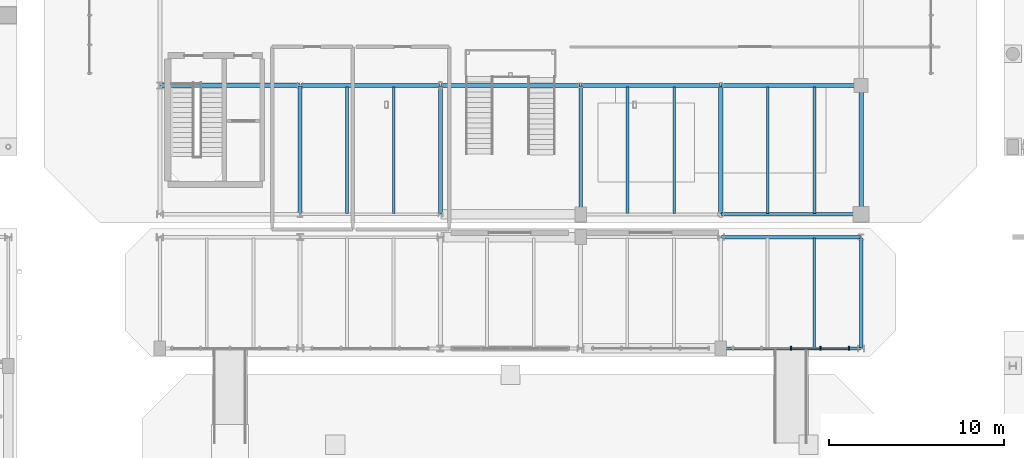
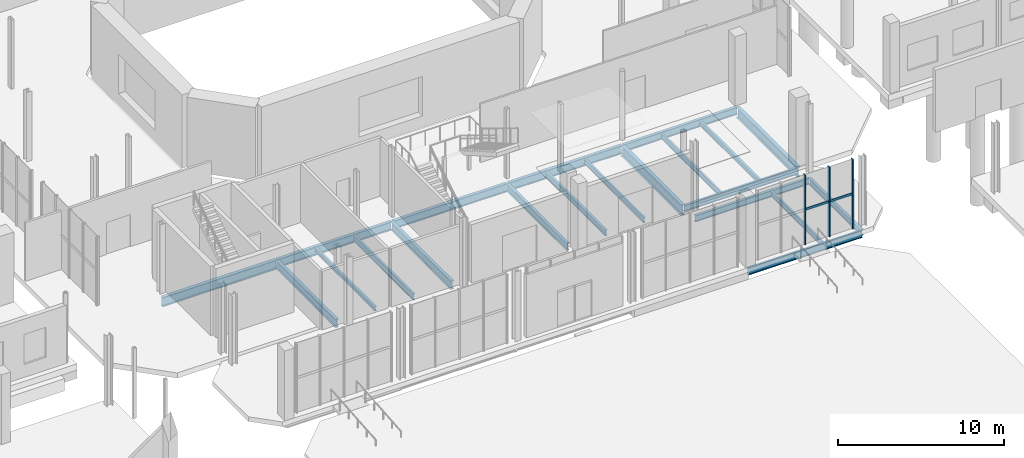
# One storey, part 42 of 87: 21 beams, 5 members, 1 element without a shape of its own.
"""IFC4 building model written with IfcOpenShell, lengths in metres."""

import ifcopenshell
import ifcopenshell.guid

model = None  # the IFC model being written
_history = None  # IfcOwnerHistory: only IFC2X3 demands one
_inside = {}  # id of a spatial element -> (the spatial element, [elements in it])
_under = {}  # id of a project, library or spatial element -> (it, [spatial elements below it])
_declared = {}  # id of a project -> (the project, [libraries it declares])
_typed = {}  # id of a type object -> (the type object, [elements of that type])
_made_of = {}  # id of a material, layer set ... -> (it, [elements and type objects made of it])


def new_model(schema):
    """Start an empty IFC model of exactly this schema.

    Asked for "IFC4X3", IfcOpenShell would pick the latest addendum, in which some entities
    have other attributes; the version numbers below select the first issue.
    IFC2X3 requires an IfcOwnerHistory on every rooted entity: one is made here for all.
    """
    global model, _history
    if schema == "IFC4X3":
        model = ifcopenshell.file(schema_version=(4, 3, 0, 0))
    else:
        model = ifcopenshell.file(schema=schema)
    _inside.clear()
    _under.clear()
    _declared.clear()
    _typed.clear()
    _made_of.clear()
    _history = None
    if model.schema == "IFC2X3":
        org = make("IfcOrganization", Name="unknown")
        user = make(
            "IfcPersonAndOrganization",
            ThePerson=make("IfcPerson", FamilyName="unknown"),
            TheOrganization=org,
        )
        app = make(
            "IfcApplication",
            ApplicationDeveloper=org,
            Version="unknown",
            ApplicationFullName="unknown",
            ApplicationIdentifier="unknown",
        )
        _history = make(
            "IfcOwnerHistory",
            OwningUser=user,
            OwningApplication=app,
            ChangeAction="ADDED",
            CreationDate=0,
        )
    return model


def make(cls, **values):
    """One entity of the class cls with the attributes given. An attribute that is None is left unset."""
    return model.create_entity(
        cls, **{name: value for name, value in values.items() if value is not None}
    )


def rooted(cls, **values):
    """An entity with a GlobalId (a new one), such as an element, a storey or a relation."""
    return make(cls, GlobalId=ifcopenshell.guid.new(), OwnerHistory=_history, **values)


def si_unit(unit_type, name, prefix=None):
    """IfcSIUnit, for example si_unit("LENGTHUNIT", "METRE", prefix="MILLI")."""
    return make("IfcSIUnit", UnitType=unit_type, Prefix=prefix, Name=name)


def assignment(units):
    """IfcUnitAssignment: the units of a project."""
    return None if units is None else make("IfcUnitAssignment", Units=units)


def point(xyz):
    """IfcCartesianPoint."""
    return None if xyz is None else make("IfcCartesianPoint", Coordinates=xyz)


def direction(xyz):
    """IfcDirection."""
    return None if xyz is None else make("IfcDirection", DirectionRatios=xyz)


def frame(location, z_axis=None, x_axis=None):
    """IfcAxis2Placement3D, a coordinate frame: its origin and axes. An axis left out is left unset."""
    return make(
        "IfcAxis2Placement3D",
        Location=point(location),
        Axis=direction(z_axis),
        RefDirection=direction(x_axis),
    )


def frame_2d(location, x_axis=None):
    """IfcAxis2Placement2D, a coordinate frame in the plane: its origin and x axis."""
    return make(
        "IfcAxis2Placement2D", Location=point(location), RefDirection=direction(x_axis)
    )


def origin():
    """The frame at (0, 0, 0) with its axes left unset."""
    return frame((0.0, 0.0, 0.0))


def origin_2d():
    """The frame at (0, 0) in the plane with its x axis left unset."""
    return frame_2d((0.0, 0.0))


def place(relative_to, where):
    """IfcLocalPlacement: puts the frame where relative to a parent placement (None: the world)."""
    return make(
        "IfcLocalPlacement", PlacementRelTo=relative_to, RelativePlacement=where
    )


def context(
    kind, dimensions, precision=None, world=None, true_north=None, identifier=None
):
    """IfcGeometricRepresentationContext, for example the 3D "Model" context."""
    return make(
        "IfcGeometricRepresentationContext",
        ContextIdentifier=identifier,
        ContextType=kind,
        CoordinateSpaceDimension=dimensions,
        Precision=precision,
        WorldCoordinateSystem=world,
        TrueNorth=true_north,
    )


def subcontext(parent, identifier, kind, view, scale=None):
    """IfcGeometricRepresentationSubContext, for example "Body" below "Model"."""
    return make(
        "IfcGeometricRepresentationSubContext",
        ContextIdentifier=identifier,
        ContextType=kind,
        ParentContext=parent,
        TargetScale=scale,
        TargetView=view,
    )


def project(units=None, contexts=None):
    """IfcProject with its units and contexts."""
    return rooted(
        "IfcProject",
        Name="project",
        RepresentationContexts=contexts,
        UnitsInContext=assignment(units),
    )


def spatial(cls, under=None, at=None, **own):
    """A site, building, storey or space (cls), placed at a placement, below another one or the project."""
    s = rooted(cls, ObjectPlacement=at, **own)
    if under is not None:
        _under.setdefault(under.id(), (under, []))[1].append(s)
    return s


def profile(cls, at=None, kind="AREA", **sizes):
    """A parametric profile (cls). Its sizes go by their IFC names, for example OverallWidth=200.0."""
    return make(cls, ProfileType=kind, Position=at, **sizes)


def rectangle(**sizes):
    """IfcRectangleProfileDef."""
    return profile("IfcRectangleProfileDef", **sizes)


def i_section(**sizes):
    """IfcIShapeProfileDef."""
    return profile("IfcIShapeProfileDef", **sizes)


def extrude(swept, where, along, depth):
    """IfcExtrudedAreaSolid: the profile swept, set in the frame where, extruded along a direction by depth."""
    return make(
        "IfcExtrudedAreaSolid",
        SweptArea=swept,
        Position=where,
        ExtrudedDirection=direction(along),
        Depth=depth,
    )


def shape(context_of_items, identifier, shape_type, items):
    """IfcShapeRepresentation: the items that make up one representation, for example the "Body"."""
    return make(
        "IfcShapeRepresentation",
        ContextOfItems=context_of_items,
        RepresentationIdentifier=identifier,
        RepresentationType=shape_type,
        Items=items,
    )


def material(Name=None, Category=None):
    """IfcMaterial."""
    return make("IfcMaterial", Name=Name, Category=Category)


def material_profile(
    of_material, cross_section, Name=None, Category=None, Priority=None
):
    """IfcMaterialProfile: a cross section and its material."""
    return make(
        "IfcMaterialProfile",
        Name=Name,
        Material=of_material,
        Profile=cross_section,
        Priority=Priority,
        Category=Category,
    )


def profile_set(profiles, Name=None, composite=None):
    """IfcMaterialProfileSet."""
    return make(
        "IfcMaterialProfileSet",
        Name=Name,
        MaterialProfiles=profiles,
        CompositeProfile=composite,
    )


def made_of(thing, what):
    """Note that an element or type object is made of a material, layer set ...; save() writes the relation."""
    if what is not None:
        _made_of.setdefault(what.id(), (what, []))[1].append(thing)
    return thing


def type_object(cls, material=None, **own):
    """A type object (cls), such as IfcWallType, which elements share."""
    return made_of(rooted(cls, **own), material)


def element(
    cls,
    number,
    at=None,
    inside=None,
    cuts=None,
    type_object=None,
    material=None,
    context=None,
    identifier="Body",
    shape_type=None,
    held_by="IfcProductDefinitionShape",
    body=None,
    shapes=None,
    **own,
):
    """One element of the class cls, such as IfcWall. Its Tag is "e" and its number.

    at: its placement. inside: the storey or other place that contains it. cuts: it is an
    opening in that element (IfcRelVoidsElement). A single representation is given by context,
    identifier, shape_type and body (its items); several are given by shapes. held_by: the class
    of the entity that holds the representations. save() writes the other relations.
    """
    e = rooted(cls, Tag="e%d" % number, ObjectPlacement=at, **own)
    if body is not None:
        shapes = [shape(context, identifier, shape_type, body)]
    if shapes is not None:
        e.Representation = make(held_by, Representations=shapes)
    if inside is not None:
        _inside.setdefault(inside.id(), (inside, []))[1].append(e)
    if cuts is not None:
        rooted(
            "IfcRelVoidsElement", RelatingBuildingElement=cuts, RelatedOpeningElement=e
        )
    if type_object is not None:
        _typed.setdefault(type_object.id(), (type_object, []))[1].append(e)
    return made_of(e, material)


def aggregate(whole, parts):
    """IfcRelAggregates: a whole, such as a stair, and the parts it consists of."""
    return rooted("IfcRelAggregates", RelatingObject=whole, RelatedObjects=parts)


def save(model, path):
    """Write the relations noted so far, then the file.

    IfcRelAggregates (storeys below a building ...), IfcRelContainedInSpatialStructure (elements
    in a storey), IfcRelDefinesByType, IfcRelAssociatesMaterial and IfcRelDeclares: one each for
    every whole, place, type object, material and project.
    """
    for whole, parts in _under.values():
        aggregate(whole, parts)
    for where, things in _inside.values():
        rooted(
            "IfcRelContainedInSpatialStructure",
            RelatedElements=things,
            RelatingStructure=where,
        )
    for kind, things in _typed.values():
        rooted("IfcRelDefinesByType", RelatedObjects=things, RelatingType=kind)
    for what, things in _made_of.values():
        rooted("IfcRelAssociatesMaterial", RelatedObjects=things, RelatingMaterial=what)
    for by, libraries in _declared.values():
        rooted("IfcRelDeclares", RelatingContext=by, RelatedDefinitions=libraries)
    model.write(path)


model = new_model("IFC4")

# Units and contexts
model_context = context("Model", 3, precision=1e-05, world=origin(), true_north=direction((0.0, 1.0)))
body_context = subcontext(model_context, "Body", "Model", "MODEL_VIEW")
ifc_project = project(units=[si_unit("LENGTHUNIT", "METRE"), si_unit("AREAUNIT", "SQUARE_METRE"), si_unit("VOLUMEUNIT", "CUBIC_METRE"), si_unit("PLANEANGLEUNIT", "RADIAN"), si_unit("MASSUNIT", "GRAM", prefix="KILO")], contexts=[model_context])

# Site, building, storey
site_placement = place(None, origin())
site = spatial("IfcSite", under=ifc_project, at=site_placement, CompositionType="ELEMENT")
building_placement = place(site_placement, origin())
building = spatial("IfcBuilding", under=site, at=building_placement, Name="Brisemont Oceanarium", CompositionType="ELEMENT")
storey_placement = place(building_placement, origin())
storey = spatial("IfcBuildingStorey", under=building, at=storey_placement, Name="L00", CompositionType="ELEMENT", Elevation=0.0)

# Beams
ifc_material_1 = material(Name="Structural Steel ASTM A992 Gr.50", Category="steel")
ifc_material_profile_1 = material_profile(ifc_material_1, i_section(OverallWidth=0.1650390625, OverallDepth=0.31005859375, WebThickness=0.005859375, FlangeThickness=0.009765625, FilletRadius=0.008056640625, at=origin_2d()), Name="W12X26")
ifc_profile_set_1 = profile_set([ifc_material_profile_1], Name="Structural Steel ASTM A992 Gr.50")
beam_type_1 = type_object("IfcBeamType", Name="BM-W12X26", PredefinedType="JOIST", material=ifc_profile_set_1)
beam_1_placement = place(storey_placement, frame((74.666748046875, 32.68994140625, -0.534912109375), z_axis=(0.0, 1.0, 0.0), x_axis=(-1.0, 0.0, 0.0)))
element("IfcBeam", 1, at=beam_1_placement, inside=storey, type_object=beam_type_1, Name="V1 L00 secondary floor beam", PredefinedType="JOIST", context=body_context, shape_type="SweptSolid", body=[
    extrude(i_section(OverallWidth=0.1650390625, OverallDepth=0.31005859375, WebThickness=0.005859375, FlangeThickness=0.009765625, FilletRadius=0.008056640625, at=origin_2d()), origin(), (0.0, 0.0, 1.0), 7.219970703125),
])
ifc_material_2 = material(Name="Structural Steel ASTM A992 Gr.50", Category="steel")
ifc_material_profile_2 = material_profile(ifc_material_2, i_section(OverallWidth=0.1708984375, OverallDepth=0.35107421875, WebThickness=0.0068359375, FlangeThickness=0.009765625, FilletRadius=0.010009765625, at=origin_2d()), Name="W14X30")
ifc_profile_set_2 = profile_set([ifc_material_profile_2], Name="Structural Steel ASTM A992 Gr.50")
beam_type_2 = type_object("IfcBeamType", Name="BM-W14X30", PredefinedType="JOIST", material=ifc_profile_set_2)
beam_2_placement = place(storey_placement, frame((101.333251953125, 32.68994140625, -0.555419921875), z_axis=(0.0, 1.0, 0.0), x_axis=(-1.0, 0.0, 0.0)))
element("IfcBeam", 2, at=beam_2_placement, inside=storey, type_object=beam_type_2, Name="V1 L00 secondary floor beam", PredefinedType="JOIST", context=body_context, shape_type="SweptSolid", body=[
    extrude(i_section(OverallWidth=0.1708984375, OverallDepth=0.35107421875, WebThickness=0.0068359375, FlangeThickness=0.009765625, FilletRadius=0.010009765625, at=origin_2d()), origin(), (0.0, 0.0, 1.0), 7.219970703125),
])
ifc_material_3 = material(Name="Structural Steel ASTM A992 Gr.50", Category="steel")
ifc_material_profile_3 = material_profile(ifc_material_3, i_section(OverallWidth=0.139892578125, OverallDepth=0.39892578125, WebThickness=0.00634765625, FlangeThickness=0.0087890625, FilletRadius=0.010009765625, at=origin_2d()), Name="W16X26")
ifc_profile_set_3 = profile_set([ifc_material_profile_3], Name="Structural Steel ASTM A992 Gr.50")
beam_type_3 = type_object("IfcBeamType", Name="BM-W16X26", PredefinedType="JOIST", material=ifc_profile_set_3)
for number, where, z_axis, x_axis, name in (
    (3, (93.333251953125, 32.68994140625, -0.57958984375), (0.0, 1.0, 0.0), (-1.0, 0.0, 0.0), "V1 L00 secondary floor beam"),
    (4, (98.666748046875, 32.68994140625, -0.57958984375), (0.0, 1.0, 0.0), (-1.0, 0.0, 0.0), "V1 L00 secondary floor beam"),
):
    element("IfcBeam", number, at=place(storey_placement, frame(where, z_axis=z_axis, x_axis=x_axis)), inside=storey, type_object=beam_type_3, Name=name, PredefinedType="JOIST", context=body_context, shape_type="SweptSolid", body=[
        extrude(i_section(OverallWidth=0.139892578125, OverallDepth=0.39892578125, WebThickness=0.00634765625, FlangeThickness=0.0087890625, FilletRadius=0.010009765625, at=origin_2d()), origin(), (0.0, 0.0, 1.0), 7.219970703125),
    ])
beam_3_placement = place(storey_placement, frame((101.333251953125, 25.0400390625, -0.53955078125), z_axis=(0.0, 1.0, 0.0), x_axis=(-1.0, 0.0, 0.0)))
element("IfcBeam", 5, at=beam_3_placement, inside=storey, type_object=beam_type_3, Name="V1P L00 secondary floor beam", PredefinedType="JOIST", context=body_context, shape_type="SweptSolid", body=[
    extrude(i_section(OverallWidth=0.139892578125, OverallDepth=0.39892578125, WebThickness=0.00634765625, FlangeThickness=0.0087890625, FilletRadius=0.010009765625, at=origin_2d()), origin(), (0.0, 0.0, 1.0), 6.27001953125),
])
ifc_material_4 = material(Name="Structural Steel ASTM A992 Gr.50", Category="steel")
ifc_material_profile_4 = material_profile(ifc_material_4, i_section(OverallWidth=0.177978515625, OverallDepth=0.404052734375, WebThickness=0.007568359375, FlangeThickness=0.010986328125, FilletRadius=0.010009765625, at=origin_2d()), Name="W16X36")
ifc_profile_set_4 = profile_set([ifc_material_profile_4], Name="Structural Steel ASTM A992 Gr.50")
beam_type_4 = type_object("IfcBeamType", Name="BM-W16X36", PredefinedType="JOIST", material=ifc_profile_set_4)
beam_4_placement = place(storey_placement, frame((90.666748046875, 32.68994140625, -0.58203125), z_axis=(0.0, 1.0, 0.0), x_axis=(-1.0, 0.0, 0.0)))
element("IfcBeam", 6, at=beam_4_placement, inside=storey, type_object=beam_type_4, Name="V1 L00 secondary floor beam", PredefinedType="JOIST", context=body_context, shape_type="SweptSolid", body=[
    extrude(i_section(OverallWidth=0.177978515625, OverallDepth=0.404052734375, WebThickness=0.007568359375, FlangeThickness=0.010986328125, FilletRadius=0.010009765625, at=origin_2d()), origin(), (0.0, 0.0, 1.0), 7.219970703125),
])
ifc_material_5 = material(Name="Structural Steel ASTM A992 Gr.50", Category="steel")
ifc_material_profile_5 = material_profile(ifc_material_5, i_section(OverallWidth=0.153076171875, OverallDepth=0.455078125, WebThickness=0.008056640625, FlangeThickness=0.01318359375, FilletRadius=0.010986328125, at=origin_2d()), Name="W18X40")
ifc_profile_set_5 = profile_set([ifc_material_profile_5], Name="Structural Steel ASTM A992 Gr.50")
beam_type_5 = type_object("IfcBeamType", Name="BM-W18X40", PredefinedType="JOIST", material=ifc_profile_set_5)
beam_5_placement = place(storey_placement, frame((77.333251953125, 32.68994140625, -0.607421875), z_axis=(0.0, 1.0, 0.0), x_axis=(-1.0, 0.0, 0.0)))
element("IfcBeam", 7, at=beam_5_placement, inside=storey, type_object=beam_type_5, Name="V1 L00 secondary floor beam", PredefinedType="JOIST", context=body_context, shape_type="SweptSolid", body=[
    extrude(i_section(OverallWidth=0.153076171875, OverallDepth=0.455078125, WebThickness=0.008056640625, FlangeThickness=0.01318359375, FilletRadius=0.010986328125, at=origin_2d()), origin(), (0.0, 0.0, 1.0), 7.219970703125),
])
ifc_material_6 = material(Name="Structural Steel ASTM A992 Gr.50", Category="steel")
ifc_material_profile_6 = material_profile(ifc_material_6, i_section(OverallWidth=0.19091796875, OverallDepth=0.4599609375, WebThickness=0.010009765625, FlangeThickness=0.01611328125, FilletRadius=0.010986328125, at=origin_2d()), Name="W18X55")
ifc_profile_set_6 = profile_set([ifc_material_profile_6], Name="Structural Steel ASTM A992 Gr.50")
beam_type_6 = type_object("IfcBeamType", Name="BM-W18X55", PredefinedType="SPANDREL", material=ifc_profile_set_6)
for number, where, z_axis, x_axis, name in (
    (8, (96.0400390625, 32.64990234375, -0.610107421875), (1.0, 0.0, 0.0), (0.0, 1.0, 0.0), "V1 L00 EW girder"),
    (9, (96.0400390625, 31.35009765625, -0.570068359375), (1.0, 0.0, 0.0), (0.0, 1.0, 0.0), "V1P L00 EW girder"),
):
    element("IfcBeam", number, at=place(storey_placement, frame(where, z_axis=z_axis, x_axis=x_axis)), inside=storey, type_object=beam_type_6, Name=name, PredefinedType="SPANDREL", context=body_context, shape_type="SweptSolid", body=[
        extrude(i_section(OverallWidth=0.19091796875, OverallDepth=0.4599609375, WebThickness=0.010009765625, FlangeThickness=0.01611328125, FilletRadius=0.010986328125, at=origin_2d()), origin(), (0.0, 0.0, 1.0), 7.919921875),
    ])
beam_6_placement = place(storey_placement, frame((104.0, 25.0400390625, -0.570068359375), z_axis=(0.0, 1.0, 0.0), x_axis=(-1.0, 0.0, 0.0)))
element("IfcBeam", 10, at=beam_6_placement, inside=storey, type_object=beam_type_6, Name="V1P L00 NS girder", PredefinedType="SPANDREL", context=body_context, shape_type="SweptSolid", body=[
    extrude(i_section(OverallWidth=0.19091796875, OverallDepth=0.4599609375, WebThickness=0.010009765625, FlangeThickness=0.01611328125, FilletRadius=0.010986328125, at=origin_2d()), origin(), (0.0, 0.0, 1.0), 6.27001953125),
])
ifc_material_7 = material(Name="Structural Steel ASTM A992 Gr.50", Category="steel")
ifc_material_profile_7 = material_profile(ifc_material_7, i_section(OverallWidth=0.166015625, OverallDepth=0.528076171875, WebThickness=0.009765625, FlangeThickness=0.013671875, FilletRadius=0.012939453125, at=origin_2d()), Name="W21X50")
ifc_profile_set_7 = profile_set([ifc_material_profile_7], Name="Structural Steel ASTM A992 Gr.50")
beam_type_7 = type_object("IfcBeamType", Name="BM-W21X50", PredefinedType="SPANDREL", material=ifc_profile_set_7)
beam_7_placement = place(storey_placement, frame((96.0400390625, 25.0, -0.60400390625), z_axis=(1.0, 0.0, 0.0), x_axis=(0.0, 1.0, 0.0)))
element("IfcBeam", 11, at=beam_7_placement, inside=storey, type_object=beam_type_7, Name="V1P L00 EW girder", PredefinedType="SPANDREL", context=body_context, shape_type="SweptSolid", body=[
    extrude(i_section(OverallWidth=0.166015625, OverallDepth=0.528076171875, WebThickness=0.009765625, FlangeThickness=0.013671875, FilletRadius=0.012939453125, at=origin_2d()), origin(), (0.0, 0.0, 1.0), 7.919921875),
])
ifc_material_8 = material(Name="Structural Steel ASTM A992 Gr.50", Category="steel")
ifc_material_profile_8 = material_profile(ifc_material_8, i_section(OverallWidth=0.2099609375, OverallDepth=0.532958984375, WebThickness=0.01025390625, FlangeThickness=0.015625, FilletRadius=0.012939453125, at=origin_2d()), Name="W21X62")
ifc_profile_set_8 = profile_set([ifc_material_profile_8], Name="Structural Steel ASTM A992 Gr.50")
beam_type_8 = type_object("IfcBeamType", Name="BM-W21X62", PredefinedType="BEAM", material=ifc_profile_set_8)
beam_8_placement = place(storey_placement, frame((96.0400390625, 40.0, -0.646484375), z_axis=(1.0, 0.0, 0.0), x_axis=(0.0, 1.0, 0.0)))
element("IfcBeam", 12, at=beam_8_placement, inside=storey, type_object=beam_type_8, Name="V1 L00 EW girder", PredefinedType="BEAM", context=body_context, shape_type="SweptSolid", body=[
    extrude(i_section(OverallWidth=0.2099609375, OverallDepth=0.532958984375, WebThickness=0.01025390625, FlangeThickness=0.015625, FilletRadius=0.012939453125, at=origin_2d()), origin(), (0.0, 0.0, 1.0), 7.919921875),
])
beam_9_placement = place(storey_placement, frame((88.0, 32.68994140625, -0.646484375), z_axis=(0.0, 1.0, 0.0), x_axis=(-1.0, 0.0, 0.0)))
element("IfcBeam", 13, at=beam_9_placement, inside=storey, type_object=beam_type_8, Name="V1 L00 NS girder", PredefinedType="BEAM", context=body_context, shape_type="SweptSolid", body=[
    extrude(i_section(OverallWidth=0.2099609375, OverallDepth=0.532958984375, WebThickness=0.01025390625, FlangeThickness=0.015625, FilletRadius=0.012939453125, at=origin_2d()), origin(), (0.0, 0.0, 1.0), 7.27001953125),
])
ifc_material_9 = material(Name="Structural Steel ASTM A992 Gr.50", Category="steel")
ifc_material_profile_9 = material_profile(ifc_material_9, i_section(OverallWidth=0.22802734375, OverallDepth=0.60205078125, WebThickness=0.010498046875, FlangeThickness=0.014892578125, FilletRadius=0.012939453125, at=origin_2d()), Name="W24X68")
ifc_profile_set_9 = profile_set([ifc_material_profile_9], Name="Structural Steel ASTM A992 Gr.50")
beam_type_9 = type_object("IfcBeamType", Name="BM-W24X68", PredefinedType="BEAM", material=ifc_profile_set_9)
beam_10_placement = place(storey_placement, frame((88.0400390625, 40.0, -0.680908203125), z_axis=(1.0, 0.0, 0.0), x_axis=(0.0, 1.0, 0.0)))
element("IfcBeam", 14, at=beam_10_placement, inside=storey, type_object=beam_type_9, Name="V1 L00 EW girder", PredefinedType="BEAM", context=body_context, shape_type="SweptSolid", body=[
    extrude(i_section(OverallWidth=0.22802734375, OverallDepth=0.60205078125, WebThickness=0.010498046875, FlangeThickness=0.014892578125, FilletRadius=0.012939453125, at=origin_2d()), origin(), (0.0, 0.0, 1.0), 7.919921875),
])
beam_11_placement = place(storey_placement, frame((80.0, 32.68994140625, -0.680908203125), z_axis=(0.0, 1.0, 0.0), x_axis=(-1.0, 0.0, 0.0)))
element("IfcBeam", 15, at=beam_11_placement, inside=storey, type_object=beam_type_9, Name="V1 L00 NS girder", PredefinedType="BEAM", context=body_context, shape_type="SweptSolid", body=[
    extrude(i_section(OverallWidth=0.22802734375, OverallDepth=0.60205078125, WebThickness=0.010498046875, FlangeThickness=0.014892578125, FilletRadius=0.012939453125, at=origin_2d()), origin(), (0.0, 0.0, 1.0), 7.27001953125),
])
ifc_material_10 = material(Name="Structural Steel ASTM A992 Gr.50", Category="steel")
ifc_material_profile_10 = material_profile(ifc_material_10, i_section(OverallWidth=0.22802734375, OverallDepth=0.60791015625, WebThickness=0.01123046875, FlangeThickness=0.017333984375, FilletRadius=0.012939453125, at=origin_2d()), Name="W24X76")
ifc_profile_set_10 = profile_set([ifc_material_profile_10], Name="Structural Steel ASTM A992 Gr.50")
beam_type_10 = type_object("IfcBeamType", Name="BM-W24X76", PredefinedType="BEAM", material=ifc_profile_set_10)
beam_12_placement = place(storey_placement, frame((80.0400390625, 40.0, -0.68408203125), z_axis=(1.0, 0.0, 0.0), x_axis=(0.0, 1.0, 0.0)))
element("IfcBeam", 16, at=beam_12_placement, inside=storey, type_object=beam_type_10, Name="V1 L00 EW girder", PredefinedType="BEAM", context=body_context, shape_type="SweptSolid", body=[
    extrude(i_section(OverallWidth=0.22802734375, OverallDepth=0.60791015625, WebThickness=0.01123046875, FlangeThickness=0.017333984375, FilletRadius=0.012939453125, at=origin_2d()), origin(), (0.0, 0.0, 1.0), 7.919921875),
])
beam_13_placement = place(storey_placement, frame((72.0, 32.68994140625, -0.68408203125), z_axis=(0.0, 1.0, 0.0), x_axis=(-1.0, 0.0, 0.0)))
element("IfcBeam", 17, at=beam_13_placement, inside=storey, type_object=beam_type_10, Name="V1 L00 NS girder", PredefinedType="BEAM", context=body_context, shape_type="SweptSolid", body=[
    extrude(i_section(OverallWidth=0.22802734375, OverallDepth=0.60791015625, WebThickness=0.01123046875, FlangeThickness=0.017333984375, FilletRadius=0.012939453125, at=origin_2d()), origin(), (0.0, 0.0, 1.0), 7.27001953125),
])
ifc_material_11 = material(Name="Structural Steel ASTM A992 Gr.50", Category="steel")
ifc_material_profile_11 = material_profile(ifc_material_11, i_section(OverallWidth=0.22900390625, OverallDepth=0.612060546875, WebThickness=0.011962890625, FlangeThickness=0.01953125, FilletRadius=0.012939453125, at=origin_2d()), Name="W24X84")
ifc_profile_set_11 = profile_set([ifc_material_profile_11], Name="Structural Steel ASTM A992 Gr.50")
beam_type_11 = type_object("IfcBeamType", Name="BM-W24X84", PredefinedType="BEAM", material=ifc_profile_set_11)
beam_14_placement = place(storey_placement, frame((72.0400390625, 40.0, -0.68603515625), z_axis=(1.0, 0.0, 0.0), x_axis=(0.0, 1.0, 0.0)))
element("IfcBeam", 18, at=beam_14_placement, inside=storey, type_object=beam_type_11, Name="V1 L00 EW girder", PredefinedType="BEAM", context=body_context, shape_type="SweptSolid", body=[
    extrude(i_section(OverallWidth=0.22900390625, OverallDepth=0.612060546875, WebThickness=0.011962890625, FlangeThickness=0.01953125, FilletRadius=0.012939453125, at=origin_2d()), origin(), (0.0, 0.0, 1.0), 7.919921875),
])
ifc_material_12 = material(Name="Structural Steel ASTM A992 Gr.50", Category="steel")
ifc_material_profile_12 = material_profile(ifc_material_12, i_section(OverallWidth=0.2529296875, OverallDepth=0.677978515625, WebThickness=0.01171875, FlangeThickness=0.016357421875, FilletRadius=0.014892578125, at=origin_2d()), Name="W27X84")
ifc_profile_set_12 = profile_set([ifc_material_profile_12], Name="Structural Steel ASTM A992 Gr.50")
beam_type_12 = type_object("IfcBeamType", Name="BM-W27X84", PredefinedType="BEAM", material=ifc_profile_set_12)
beam_15_placement = place(storey_placement, frame((64.0400390625, 40.0, -0.718994140625), z_axis=(1.0, 0.0, 0.0), x_axis=(0.0, 1.0, 0.0)))
element("IfcBeam", 19, at=beam_15_placement, inside=storey, type_object=beam_type_12, Name="V1 L00 EW girder", PredefinedType="BEAM", context=body_context, shape_type="SweptSolid", body=[
    extrude(i_section(OverallWidth=0.2529296875, OverallDepth=0.677978515625, WebThickness=0.01171875, FlangeThickness=0.016357421875, FilletRadius=0.014892578125, at=origin_2d()), origin(), (0.0, 0.0, 1.0), 7.919921875),
])
ifc_material_13 = material(Name="Structural Steel ASTM A992 Gr.50", Category="steel")
ifc_material_profile_13 = material_profile(ifc_material_13, i_section(OverallWidth=0.26708984375, OverallDepth=0.761962890625, WebThickness=0.014404296875, FlangeThickness=0.021484375, FilletRadius=0.01611328125, at=origin_2d()), Name="W30X116")
ifc_profile_set_13 = profile_set([ifc_material_profile_13], Name="Structural Steel ASTM A992 Gr.50")
beam_type_13 = type_object("IfcBeamType", Name="BM-W30X116", PredefinedType="BEAM", material=ifc_profile_set_13)
beam_16_placement = place(storey_placement, frame((96.0, 32.68994140625, -0.760986328125), z_axis=(0.0, 1.0, 0.0), x_axis=(-1.0, 0.0, 0.0)))
element("IfcBeam", 20, at=beam_16_placement, inside=storey, type_object=beam_type_13, Name="V1 L00 NS girder", PredefinedType="BEAM", context=body_context, shape_type="SweptSolid", body=[
    extrude(i_section(OverallWidth=0.26708984375, OverallDepth=0.761962890625, WebThickness=0.014404296875, FlangeThickness=0.021484375, FilletRadius=0.01611328125, at=origin_2d()), origin(), (0.0, 0.0, 1.0), 7.27001953125),
])
ifc_material_14 = material(Name="Structural Steel ASTM A992 Gr.50", Category="steel")
ifc_material_profile_14 = material_profile(ifc_material_14, i_section(OverallWidth=0.264892578125, OverallDepth=0.7529296875, WebThickness=0.01318359375, FlangeThickness=0.01708984375, FilletRadius=0.01611328125, at=origin_2d()), Name="W30X99")
ifc_profile_set_14 = profile_set([ifc_material_profile_14], Name="Structural Steel ASTM A992 Gr.50")
beam_type_14 = type_object("IfcBeamType", Name="BM-W30X99", PredefinedType="BEAM", material=ifc_profile_set_14)
beam_17_placement = place(storey_placement, frame((104.0, 32.68994140625, -0.756591796875), z_axis=(0.0, 1.0, 0.0), x_axis=(-1.0, 0.0, 0.0)))
element("IfcBeam", 21, at=beam_17_placement, inside=storey, type_object=beam_type_14, Name="V1 L00 NS girder", PredefinedType="BEAM", context=body_context, shape_type="SweptSolid", body=[
    extrude(i_section(OverallWidth=0.264892578125, OverallDepth=0.7529296875, WebThickness=0.01318359375, FlangeThickness=0.01708984375, FilletRadius=0.01611328125, at=origin_2d()), origin(), (0.0, 0.0, 1.0), 7.27001953125),
])

# Curtain wall, members
ifc_material_15 = material(Name="Anodized Extruded Aluminum 6063-T6", Category="aluminium")
curtain_wall_type = type_object("IfcCurtainWallType", Name="CW-POR-69X50", PredefinedType="NOTDEFINED", material=ifc_material_15)
curtain_wall_placement = place(storey_placement, origin())
curtain_wall = element("IfcCurtainWall", 22, at=curtain_wall_placement, inside=storey, type_object=curtain_wall_type, Name="CW-19 curtain wall CW-V1P-S-L00-05", PredefinedType="NOTDEFINED")
ifc_material_16 = material(Name="Anodized Extruded Aluminum 6063-T6", Category="aluminium")
ifc_material_profile_15 = material_profile(ifc_material_16, rectangle(XDim=0.074951171875, YDim=0.219970703125, at=origin_2d()), Name="CWM-75X220")
ifc_profile_set_15 = profile_set([ifc_material_profile_15], Name="Anodized Extruded Aluminum 6063-T6")
member_type_1 = type_object("IfcMemberType", Name="MEM-CWM-75", PredefinedType="MULLION", material=ifc_profile_set_15)
member_1_placement = place(storey_placement, frame((100.0, 25.0, 0.0), z_axis=(0.0, 0.0, 1.0), x_axis=(1.0, 0.0, 0.0)))
member_1 = element("IfcMember", 23, at=member_1_placement, type_object=member_type_1, Name="CW-V1P-S-L00-05 mullion 3", PredefinedType="MULLION", context=body_context, shape_type="SweptSolid", body=[
    extrude(rectangle(XDim=0.074951171875, YDim=0.219970703125, at=origin_2d()), origin(), (0.0, 0.0, 1.0), 5.10009765625),
])
member_2_placement = place(storey_placement, frame((101.675048828125, 25.0, 0.0), z_axis=(0.0, 0.0, 1.0), x_axis=(1.0, 0.0, 0.0)))
member_2 = element("IfcMember", 24, at=member_2_placement, type_object=member_type_1, Name="CW-V1P-S-L00-05 mullion 4", PredefinedType="MULLION", context=body_context, shape_type="SweptSolid", body=[
    extrude(rectangle(XDim=0.074951171875, YDim=0.219970703125, at=origin_2d()), origin(), (0.0, 0.0, 1.0), 5.10009765625),
])
member_3_placement = place(storey_placement, frame((103.304931640625, 25.0, 0.0), z_axis=(0.0, 0.0, 1.0), x_axis=(1.0, 0.0, 0.0)))
member_3 = element("IfcMember", 25, at=member_3_placement, type_object=member_type_1, Name="CW-V1P-S-L00-05 mullion 5", PredefinedType="MULLION", context=body_context, shape_type="SweptSolid", body=[
    extrude(rectangle(XDim=0.074951171875, YDim=0.219970703125, at=origin_2d()), origin(), (0.0, 0.0, 1.0), 5.10009765625),
])
ifc_material_17 = material(Name="Anodized Extruded Aluminum 6063-T6", Category="aluminium")
ifc_material_profile_16 = material_profile(ifc_material_17, rectangle(XDim=0.074951171875, YDim=0.1650390625, at=origin_2d()), Name="CWT-75X165")
ifc_profile_set_16 = profile_set([ifc_material_profile_16], Name="Anodized Extruded Aluminum 6063-T6")
member_type_2 = type_object("IfcMemberType", Name="MEM-CWT-75", PredefinedType="USERDEFINED", material=ifc_profile_set_16)
member_4_placement = place(storey_placement, frame((100.014892578125, 25.0, 2.550048828125), z_axis=(1.0, 0.0, 0.0), x_axis=(0.0, 1.0, 0.0)))
member_4 = element("IfcMember", 26, at=member_4_placement, type_object=member_type_2, Name="CW-V1P-S-L00-05 transom 3.1", ObjectType="TRANSOM", PredefinedType="USERDEFINED", context=body_context, shape_type="SweptSolid", body=[
    extrude(rectangle(XDim=0.074951171875, YDim=0.1650390625, at=origin_2d()), origin(), (0.0, 0.0, 1.0), 1.64501953125),
])
member_5_placement = place(storey_placement, frame((101.68994140625, 25.0, 2.550048828125), z_axis=(1.0, 0.0, 0.0), x_axis=(0.0, 1.0, 0.0)))
member_5 = element("IfcMember", 27, at=member_5_placement, type_object=member_type_2, Name="CW-V1P-S-L00-05 transom 4.1", ObjectType="TRANSOM", PredefinedType="USERDEFINED", context=body_context, shape_type="SweptSolid", body=[
    extrude(rectangle(XDim=0.074951171875, YDim=0.1650390625, at=origin_2d()), origin(), (0.0, 0.0, 1.0), 1.64501953125),
])
aggregate(curtain_wall, [member_1, member_2, member_3, member_4, member_5])

save(model, "model.ifc")
